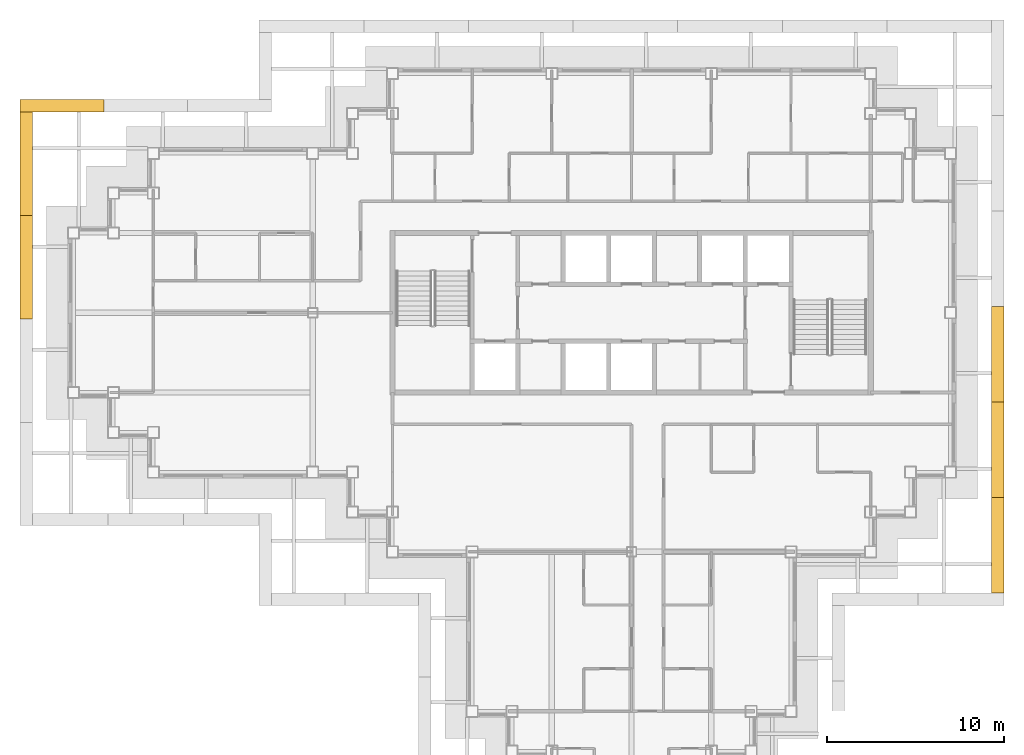
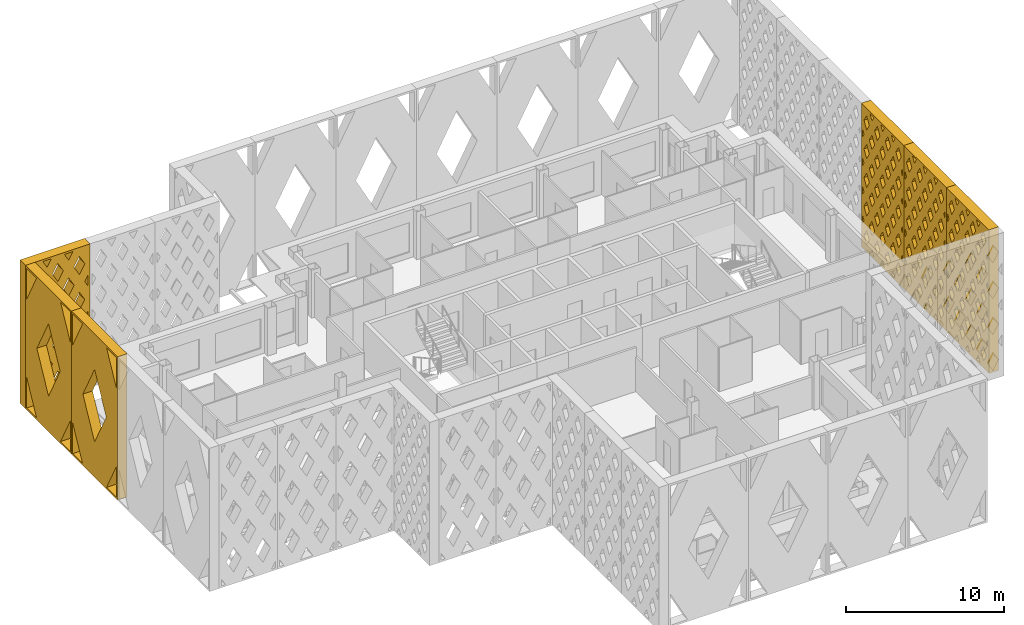
# One storey, part 15 of 17: 6 shading devices.
"""IFC4 building model written with IfcOpenShell, lengths in metres."""

from ifc_helpers import new_model, si_unit, direction, frame, origin, place, context, subcontext, project, spatial, polyline, outline, extrude, material, type_object, element, save


model = new_model("IFC4")

# Units and contexts
model_context = context("Model", 3, precision=1e-05, world=origin(), true_north=direction((0.0, 1.0)))
body_context = subcontext(model_context, "Body", "Model", "MODEL_VIEW")
ifc_project = project(units=[si_unit("LENGTHUNIT", "METRE"), si_unit("AREAUNIT", "SQUARE_METRE"), si_unit("VOLUMEUNIT", "CUBIC_METRE"), si_unit("PLANEANGLEUNIT", "RADIAN"), si_unit("MASSUNIT", "GRAM", prefix="KILO")], contexts=[model_context])

# Site, building, storey
site_placement = place(None, origin())
site = spatial("IfcSite", under=ifc_project, at=site_placement, CompositionType="ELEMENT")
building_placement = place(site_placement, origin())
building = spatial("IfcBuilding", under=site, at=building_placement, Name="Caravel Reach Hotel and Residences", CompositionType="ELEMENT")
storey_placement = place(building_placement, frame((0.0, 0.0, 222.0)))
storey = spatial("IfcBuildingStorey", under=building, at=storey_placement, Name="L56", CompositionType="ELEMENT", Elevation=222.0)

# Shading devices
ifc_material_1 = material(Name="Black powder-coated aluminium", Category="aluminium")
shading_device_type_1 = type_object("IfcShadingDeviceType", Name="Diamond lattice screen panel 4733 x 11100", PredefinedType="USERDEFINED", material=ifc_material_1)
shading_device_1_placement = place(storey_placement, frame((1.708251953125, 38.324951171875, 0.0), z_axis=(0.0, 1.0, 0.0), x_axis=(-1.0, 0.0, 0.0)))
element("IfcShadingDevice", 1, at=shading_device_1_placement, inside=storey, type_object=shading_device_type_1, Name="Lattice screen L56-L58 6.3", ObjectType="SCREEN", PredefinedType="USERDEFINED", context=body_context, shape_type="SweptSolid", body=[
    extrude(outline(polyline([(0.0, 0.0), (4.7333984375, 0.0), (4.7333984375, 11.10009765625), (0.0, 11.10009765625), (0.0, 0.0)]), holes=[polyline([(0.401123046875, 2.77490234375), (0.14990234375, 3.216796875), (0.14990234375, 2.333251953125), (0.401123046875, 2.77490234375)]), polyline([(0.401123046875, 5.550048828125), (0.14990234375, 5.99169921875), (0.14990234375, 5.108154296875), (0.401123046875, 5.550048828125)]), polyline([(0.401123046875, 8.324951171875), (0.14990234375, 8.766845703125), (0.14990234375, 7.88330078125), (0.401123046875, 8.324951171875)]), polyline([(0.788818359375, 2.093017578125), (0.3876953125, 1.387451171875), (0.788818359375, 0.681884765625), (1.190185546875, 1.387451171875), (0.788818359375, 2.093017578125)]), polyline([(0.788818359375, 4.8681640625), (0.3876953125, 4.16259765625), (0.788818359375, 3.456787109375), (1.190185546875, 4.16259765625), (0.788818359375, 4.8681640625)]), polyline([(0.788818359375, 7.64306640625), (0.3876953125, 6.9375), (0.788818359375, 6.23193359375), (1.190185546875, 6.9375), (0.788818359375, 7.64306640625)]), polyline([(0.788818359375, 10.418212890625), (0.3876953125, 9.71240234375), (0.788818359375, 9.0068359375), (1.190185546875, 9.71240234375), (0.788818359375, 10.418212890625)]), polyline([(1.577880859375, 0.70556640625), (1.261962890625, 0.14990234375), (1.893798828125, 0.14990234375), (1.577880859375, 0.70556640625)]), polyline([(1.577880859375, 3.480712890625), (1.176513671875, 2.77490234375), (1.577880859375, 2.0693359375), (1.97900390625, 2.77490234375), (1.577880859375, 3.480712890625)]), polyline([(1.577880859375, 6.255615234375), (1.176513671875, 5.550048828125), (1.577880859375, 4.844482421875), (1.97900390625, 5.550048828125), (1.577880859375, 6.255615234375)]), polyline([(1.577880859375, 9.030517578125), (1.176513671875, 8.324951171875), (1.577880859375, 7.619384765625), (1.97900390625, 8.324951171875), (1.577880859375, 9.030517578125)]), polyline([(1.577880859375, 10.394287109375), (1.893798828125, 10.949951171875), (1.261962890625, 10.949951171875), (1.577880859375, 10.394287109375)]), polyline([(2.36669921875, 2.093017578125), (1.965576171875, 1.387451171875), (2.36669921875, 0.681884765625), (2.767822265625, 1.387451171875), (2.36669921875, 2.093017578125)]), polyline([(2.36669921875, 4.8681640625), (1.965576171875, 4.16259765625), (2.36669921875, 3.456787109375), (2.767822265625, 4.16259765625), (2.36669921875, 4.8681640625)]), polyline([(2.36669921875, 7.64306640625), (1.965576171875, 6.9375), (2.36669921875, 6.23193359375), (2.767822265625, 6.9375), (2.36669921875, 7.64306640625)]), polyline([(2.36669921875, 10.418212890625), (1.965576171875, 9.71240234375), (2.36669921875, 9.0068359375), (2.767822265625, 9.71240234375), (2.36669921875, 10.418212890625)]), polyline([(3.155517578125, 0.70556640625), (2.839599609375, 0.14990234375), (3.471435546875, 0.14990234375), (3.155517578125, 0.70556640625)]), polyline([(3.155517578125, 3.480712890625), (2.75439453125, 2.77490234375), (3.155517578125, 2.0693359375), (3.556640625, 2.77490234375), (3.155517578125, 3.480712890625)]), polyline([(3.155517578125, 6.255615234375), (2.75439453125, 5.550048828125), (3.155517578125, 4.844482421875), (3.556640625, 5.550048828125), (3.155517578125, 6.255615234375)]), polyline([(3.155517578125, 9.030517578125), (2.75439453125, 8.324951171875), (3.155517578125, 7.619384765625), (3.556640625, 8.324951171875), (3.155517578125, 9.030517578125)]), polyline([(3.155517578125, 10.394287109375), (3.471435546875, 10.949951171875), (2.839599609375, 10.949951171875), (3.155517578125, 10.394287109375)]), polyline([(3.9443359375, 2.093017578125), (3.543212890625, 1.387451171875), (3.9443359375, 0.681884765625), (4.345703125, 1.387451171875), (3.9443359375, 2.093017578125)]), polyline([(3.9443359375, 4.8681640625), (3.543212890625, 4.16259765625), (3.9443359375, 3.456787109375), (4.345703125, 4.16259765625), (3.9443359375, 4.8681640625)]), polyline([(3.9443359375, 7.64306640625), (3.543212890625, 6.9375), (3.9443359375, 6.23193359375), (4.345703125, 6.9375), (3.9443359375, 7.64306640625)]), polyline([(3.9443359375, 10.418212890625), (3.543212890625, 9.71240234375), (3.9443359375, 9.0068359375), (4.345703125, 9.71240234375), (3.9443359375, 10.418212890625)]), polyline([(4.33203125, 2.77490234375), (4.583251953125, 2.333251953125), (4.583251953125, 3.216796875), (4.33203125, 2.77490234375)]), polyline([(4.33203125, 5.550048828125), (4.583251953125, 5.108154296875), (4.583251953125, 5.99169921875), (4.33203125, 5.550048828125)]), polyline([(4.33203125, 8.324951171875), (4.583251953125, 7.88330078125), (4.583251953125, 8.766845703125), (4.33203125, 8.324951171875)])]), origin(), (0.0, 0.0, 1.0), 0.699951171875),
])
ifc_material_2 = material(Name="Black powder-coated aluminium", Category="aluminium")
shading_device_type_2 = type_object("IfcShadingDeviceType", Name="Diamond lattice screen panel 5392 x 11100", PredefinedType="USERDEFINED", material=ifc_material_2)
shading_device_2_placement = place(storey_placement, frame((51.824951171875, 11.175048828125, 0.0), z_axis=(1.0, 0.0, 0.0), x_axis=(0.0, 1.0, 0.0)))
element("IfcShadingDevice", 2, at=shading_device_2_placement, inside=storey, type_object=shading_device_type_2, Name="Lattice screen L56-L58 3.1", ObjectType="SCREEN", PredefinedType="USERDEFINED", context=body_context, shape_type="SweptSolid", body=[
    extrude(outline(polyline([(0.0, 0.0), (5.3916015625, 0.0), (5.3916015625, 11.10009765625), (0.0, 11.10009765625), (0.0, 0.0)]), holes=[polyline([(0.338623046875, 2.219970703125), (0.14990234375, 2.53076171875), (0.14990234375, 1.9091796875), (0.338623046875, 2.219970703125)]), polyline([(0.338623046875, 4.43994140625), (0.14990234375, 4.750732421875), (0.14990234375, 4.129150390625), (0.338623046875, 4.43994140625)]), polyline([(0.338623046875, 6.659912109375), (0.14990234375, 6.970703125), (0.14990234375, 6.34912109375), (0.338623046875, 6.659912109375)]), polyline([(0.338623046875, 8.8798828125), (0.14990234375, 9.190673828125), (0.14990234375, 8.5693359375), (0.338623046875, 8.8798828125)]), polyline([(0.674072265625, 1.667724609375), (0.335205078125, 1.110107421875), (0.674072265625, 0.55224609375), (1.0126953125, 1.110107421875), (0.674072265625, 1.667724609375)]), polyline([(0.674072265625, 3.887939453125), (0.335205078125, 3.330078125), (0.674072265625, 2.772216796875), (1.0126953125, 3.330078125), (0.674072265625, 3.887939453125)]), polyline([(0.674072265625, 6.10791015625), (0.335205078125, 5.550048828125), (0.674072265625, 4.9921875), (1.0126953125, 5.550048828125), (0.674072265625, 6.10791015625)]), polyline([(0.674072265625, 8.327880859375), (0.335205078125, 7.77001953125), (0.674072265625, 7.212158203125), (1.0126953125, 7.77001953125), (0.674072265625, 8.327880859375)]), polyline([(0.674072265625, 10.5478515625), (0.335205078125, 9.989990234375), (0.674072265625, 9.43212890625), (1.0126953125, 9.989990234375), (0.674072265625, 10.5478515625)]), polyline([(1.347900390625, 0.557861328125), (1.100341796875, 0.14990234375), (1.595458984375, 0.14990234375), (1.347900390625, 0.557861328125)]), polyline([(1.347900390625, 2.77783203125), (1.00927734375, 2.219970703125), (1.347900390625, 1.662109375), (1.6865234375, 2.219970703125), (1.347900390625, 2.77783203125)]), polyline([(1.347900390625, 4.997802734375), (1.00927734375, 4.43994140625), (1.347900390625, 3.882080078125), (1.6865234375, 4.43994140625), (1.347900390625, 4.997802734375)]), polyline([(1.347900390625, 7.2177734375), (1.00927734375, 6.659912109375), (1.347900390625, 6.102294921875), (1.6865234375, 6.659912109375), (1.347900390625, 7.2177734375)]), polyline([(1.347900390625, 9.437744140625), (1.00927734375, 8.8798828125), (1.347900390625, 8.322265625), (1.6865234375, 8.8798828125), (1.347900390625, 9.437744140625)]), polyline([(1.347900390625, 10.542236328125), (1.595458984375, 10.949951171875), (1.100341796875, 10.949951171875), (1.347900390625, 10.542236328125)]), polyline([(2.02197265625, 1.667724609375), (1.68310546875, 1.110107421875), (2.02197265625, 0.55224609375), (2.360595703125, 1.110107421875), (2.02197265625, 1.667724609375)]), polyline([(2.02197265625, 3.887939453125), (1.68310546875, 3.330078125), (2.02197265625, 2.772216796875), (2.360595703125, 3.330078125), (2.02197265625, 3.887939453125)]), polyline([(2.02197265625, 6.10791015625), (1.68310546875, 5.550048828125), (2.02197265625, 4.9921875), (2.360595703125, 5.550048828125), (2.02197265625, 6.10791015625)]), polyline([(2.02197265625, 8.327880859375), (1.68310546875, 7.77001953125), (2.02197265625, 7.212158203125), (2.360595703125, 7.77001953125), (2.02197265625, 8.327880859375)]), polyline([(2.02197265625, 10.5478515625), (1.68310546875, 9.989990234375), (2.02197265625, 9.43212890625), (2.360595703125, 9.989990234375), (2.02197265625, 10.5478515625)]), polyline([(2.69580078125, 0.557861328125), (2.4482421875, 0.14990234375), (2.943359375, 0.14990234375), (2.69580078125, 0.557861328125)]), polyline([(2.69580078125, 2.77783203125), (2.357177734375, 2.219970703125), (2.69580078125, 1.662109375), (3.034423828125, 2.219970703125), (2.69580078125, 2.77783203125)]), polyline([(2.69580078125, 4.997802734375), (2.357177734375, 4.43994140625), (2.69580078125, 3.882080078125), (3.034423828125, 4.43994140625), (2.69580078125, 4.997802734375)]), polyline([(2.69580078125, 7.2177734375), (2.357177734375, 6.659912109375), (2.69580078125, 6.102294921875), (3.034423828125, 6.659912109375), (2.69580078125, 7.2177734375)]), polyline([(2.69580078125, 9.437744140625), (2.357177734375, 8.8798828125), (2.69580078125, 8.322265625), (3.034423828125, 8.8798828125), (2.69580078125, 9.437744140625)]), polyline([(2.69580078125, 10.542236328125), (2.943359375, 10.949951171875), (2.4482421875, 10.949951171875), (2.69580078125, 10.542236328125)]), polyline([(3.369873046875, 1.667724609375), (3.031005859375, 1.110107421875), (3.369873046875, 0.55224609375), (3.70849609375, 1.110107421875), (3.369873046875, 1.667724609375)]), polyline([(3.369873046875, 3.887939453125), (3.031005859375, 3.330078125), (3.369873046875, 2.772216796875), (3.70849609375, 3.330078125), (3.369873046875, 3.887939453125)]), polyline([(3.369873046875, 6.10791015625), (3.031005859375, 5.550048828125), (3.369873046875, 4.9921875), (3.70849609375, 5.550048828125), (3.369873046875, 6.10791015625)]), polyline([(3.369873046875, 8.327880859375), (3.031005859375, 7.77001953125), (3.369873046875, 7.212158203125), (3.70849609375, 7.77001953125), (3.369873046875, 8.327880859375)]), polyline([(3.369873046875, 10.5478515625), (3.031005859375, 9.989990234375), (3.369873046875, 9.43212890625), (3.70849609375, 9.989990234375), (3.369873046875, 10.5478515625)]), polyline([(4.043701171875, 0.557861328125), (3.796142578125, 0.14990234375), (4.291259765625, 0.14990234375), (4.043701171875, 0.557861328125)]), polyline([(4.043701171875, 2.77783203125), (3.705078125, 2.219970703125), (4.043701171875, 1.662109375), (4.38232421875, 2.219970703125), (4.043701171875, 2.77783203125)]), polyline([(4.043701171875, 4.997802734375), (3.705078125, 4.43994140625), (4.043701171875, 3.882080078125), (4.38232421875, 4.43994140625), (4.043701171875, 4.997802734375)]), polyline([(4.043701171875, 7.2177734375), (3.705078125, 6.659912109375), (4.043701171875, 6.102294921875), (4.38232421875, 6.659912109375), (4.043701171875, 7.2177734375)]), polyline([(4.043701171875, 9.437744140625), (3.705078125, 8.8798828125), (4.043701171875, 8.322265625), (4.38232421875, 8.8798828125), (4.043701171875, 9.437744140625)]), polyline([(4.043701171875, 10.542236328125), (4.291259765625, 10.949951171875), (3.796142578125, 10.949951171875), (4.043701171875, 10.542236328125)]), polyline([(4.7177734375, 1.667724609375), (4.37890625, 1.110107421875), (4.7177734375, 0.55224609375), (5.056396484375, 1.110107421875), (4.7177734375, 1.667724609375)]), polyline([(4.7177734375, 3.887939453125), (4.37890625, 3.330078125), (4.7177734375, 2.772216796875), (5.056396484375, 3.330078125), (4.7177734375, 3.887939453125)]), polyline([(4.7177734375, 6.10791015625), (4.37890625, 5.550048828125), (4.7177734375, 4.9921875), (5.056396484375, 5.550048828125), (4.7177734375, 6.10791015625)]), polyline([(4.7177734375, 8.327880859375), (4.37890625, 7.77001953125), (4.7177734375, 7.212158203125), (5.056396484375, 7.77001953125), (4.7177734375, 8.327880859375)]), polyline([(4.7177734375, 10.5478515625), (4.37890625, 9.989990234375), (4.7177734375, 9.43212890625), (5.056396484375, 9.989990234375), (4.7177734375, 10.5478515625)]), polyline([(5.052978515625, 2.219970703125), (5.24169921875, 1.9091796875), (5.24169921875, 2.53076171875), (5.052978515625, 2.219970703125)]), polyline([(5.052978515625, 4.43994140625), (5.24169921875, 4.129150390625), (5.24169921875, 4.750732421875), (5.052978515625, 4.43994140625)]), polyline([(5.052978515625, 6.659912109375), (5.24169921875, 6.34912109375), (5.24169921875, 6.970703125), (5.052978515625, 6.659912109375)]), polyline([(5.052978515625, 8.8798828125), (5.24169921875, 8.5693359375), (5.24169921875, 9.190673828125), (5.052978515625, 8.8798828125)])]), origin(), (0.0, 0.0, 1.0), 0.699951171875),
])
shading_device_3_placement = place(storey_placement, frame((51.824951171875, 16.566650390625, 0.0), z_axis=(1.0, 0.0, 0.0), x_axis=(0.0, 1.0, 0.0)))
element("IfcShadingDevice", 3, at=shading_device_3_placement, inside=storey, type_object=shading_device_type_2, Name="Lattice screen L56-L58 3.2", ObjectType="SCREEN", PredefinedType="USERDEFINED", context=body_context, shape_type="SweptSolid", body=[
    extrude(outline(polyline([(0.0, 0.0), (5.3916015625, 0.0), (5.3916015625, 11.10009765625), (0.0, 11.10009765625), (0.0, 0.0)]), holes=[polyline([(0.338623046875, 2.219970703125), (0.14990234375, 2.53076171875), (0.14990234375, 1.9091796875), (0.338623046875, 2.219970703125)]), polyline([(0.338623046875, 4.43994140625), (0.14990234375, 4.750732421875), (0.14990234375, 4.129150390625), (0.338623046875, 4.43994140625)]), polyline([(0.338623046875, 6.659912109375), (0.14990234375, 6.970703125), (0.14990234375, 6.34912109375), (0.338623046875, 6.659912109375)]), polyline([(0.338623046875, 8.8798828125), (0.14990234375, 9.190673828125), (0.14990234375, 8.5693359375), (0.338623046875, 8.8798828125)]), polyline([(0.674072265625, 1.667724609375), (0.335205078125, 1.110107421875), (0.674072265625, 0.55224609375), (1.0126953125, 1.110107421875), (0.674072265625, 1.667724609375)]), polyline([(0.674072265625, 3.887939453125), (0.335205078125, 3.330078125), (0.674072265625, 2.772216796875), (1.0126953125, 3.330078125), (0.674072265625, 3.887939453125)]), polyline([(0.674072265625, 6.10791015625), (0.335205078125, 5.550048828125), (0.674072265625, 4.9921875), (1.0126953125, 5.550048828125), (0.674072265625, 6.10791015625)]), polyline([(0.674072265625, 8.327880859375), (0.335205078125, 7.77001953125), (0.674072265625, 7.212158203125), (1.0126953125, 7.77001953125), (0.674072265625, 8.327880859375)]), polyline([(0.674072265625, 10.5478515625), (0.335205078125, 9.989990234375), (0.674072265625, 9.43212890625), (1.0126953125, 9.989990234375), (0.674072265625, 10.5478515625)]), polyline([(1.347900390625, 0.557861328125), (1.100341796875, 0.14990234375), (1.595458984375, 0.14990234375), (1.347900390625, 0.557861328125)]), polyline([(1.347900390625, 2.77783203125), (1.00927734375, 2.219970703125), (1.347900390625, 1.662109375), (1.6865234375, 2.219970703125), (1.347900390625, 2.77783203125)]), polyline([(1.347900390625, 4.997802734375), (1.00927734375, 4.43994140625), (1.347900390625, 3.882080078125), (1.6865234375, 4.43994140625), (1.347900390625, 4.997802734375)]), polyline([(1.347900390625, 7.2177734375), (1.00927734375, 6.659912109375), (1.347900390625, 6.102294921875), (1.6865234375, 6.659912109375), (1.347900390625, 7.2177734375)]), polyline([(1.347900390625, 9.437744140625), (1.00927734375, 8.8798828125), (1.347900390625, 8.322265625), (1.6865234375, 8.8798828125), (1.347900390625, 9.437744140625)]), polyline([(1.347900390625, 10.542236328125), (1.595458984375, 10.949951171875), (1.100341796875, 10.949951171875), (1.347900390625, 10.542236328125)]), polyline([(2.02197265625, 1.667724609375), (1.68310546875, 1.110107421875), (2.02197265625, 0.55224609375), (2.360595703125, 1.110107421875), (2.02197265625, 1.667724609375)]), polyline([(2.02197265625, 3.887939453125), (1.68310546875, 3.330078125), (2.02197265625, 2.772216796875), (2.360595703125, 3.330078125), (2.02197265625, 3.887939453125)]), polyline([(2.02197265625, 6.10791015625), (1.68310546875, 5.550048828125), (2.02197265625, 4.9921875), (2.360595703125, 5.550048828125), (2.02197265625, 6.10791015625)]), polyline([(2.02197265625, 8.327880859375), (1.68310546875, 7.77001953125), (2.02197265625, 7.212158203125), (2.360595703125, 7.77001953125), (2.02197265625, 8.327880859375)]), polyline([(2.02197265625, 10.5478515625), (1.68310546875, 9.989990234375), (2.02197265625, 9.43212890625), (2.360595703125, 9.989990234375), (2.02197265625, 10.5478515625)]), polyline([(2.69580078125, 0.557861328125), (2.4482421875, 0.14990234375), (2.943359375, 0.14990234375), (2.69580078125, 0.557861328125)]), polyline([(2.69580078125, 2.77783203125), (2.357177734375, 2.219970703125), (2.69580078125, 1.662109375), (3.034423828125, 2.219970703125), (2.69580078125, 2.77783203125)]), polyline([(2.69580078125, 4.997802734375), (2.357177734375, 4.43994140625), (2.69580078125, 3.882080078125), (3.034423828125, 4.43994140625), (2.69580078125, 4.997802734375)]), polyline([(2.69580078125, 7.2177734375), (2.357177734375, 6.659912109375), (2.69580078125, 6.102294921875), (3.034423828125, 6.659912109375), (2.69580078125, 7.2177734375)]), polyline([(2.69580078125, 9.437744140625), (2.357177734375, 8.8798828125), (2.69580078125, 8.322265625), (3.034423828125, 8.8798828125), (2.69580078125, 9.437744140625)]), polyline([(2.69580078125, 10.542236328125), (2.943359375, 10.949951171875), (2.4482421875, 10.949951171875), (2.69580078125, 10.542236328125)]), polyline([(3.369873046875, 1.667724609375), (3.031005859375, 1.110107421875), (3.369873046875, 0.55224609375), (3.70849609375, 1.110107421875), (3.369873046875, 1.667724609375)]), polyline([(3.369873046875, 3.887939453125), (3.031005859375, 3.330078125), (3.369873046875, 2.772216796875), (3.70849609375, 3.330078125), (3.369873046875, 3.887939453125)]), polyline([(3.369873046875, 6.10791015625), (3.031005859375, 5.550048828125), (3.369873046875, 4.9921875), (3.70849609375, 5.550048828125), (3.369873046875, 6.10791015625)]), polyline([(3.369873046875, 8.327880859375), (3.031005859375, 7.77001953125), (3.369873046875, 7.212158203125), (3.70849609375, 7.77001953125), (3.369873046875, 8.327880859375)]), polyline([(3.369873046875, 10.5478515625), (3.031005859375, 9.989990234375), (3.369873046875, 9.43212890625), (3.70849609375, 9.989990234375), (3.369873046875, 10.5478515625)]), polyline([(4.043701171875, 0.557861328125), (3.796142578125, 0.14990234375), (4.291259765625, 0.14990234375), (4.043701171875, 0.557861328125)]), polyline([(4.043701171875, 2.77783203125), (3.705078125, 2.219970703125), (4.043701171875, 1.662109375), (4.38232421875, 2.219970703125), (4.043701171875, 2.77783203125)]), polyline([(4.043701171875, 4.997802734375), (3.705078125, 4.43994140625), (4.043701171875, 3.882080078125), (4.38232421875, 4.43994140625), (4.043701171875, 4.997802734375)]), polyline([(4.043701171875, 7.2177734375), (3.705078125, 6.659912109375), (4.043701171875, 6.102294921875), (4.38232421875, 6.659912109375), (4.043701171875, 7.2177734375)]), polyline([(4.043701171875, 9.437744140625), (3.705078125, 8.8798828125), (4.043701171875, 8.322265625), (4.38232421875, 8.8798828125), (4.043701171875, 9.437744140625)]), polyline([(4.043701171875, 10.542236328125), (4.291259765625, 10.949951171875), (3.796142578125, 10.949951171875), (4.043701171875, 10.542236328125)]), polyline([(4.7177734375, 1.667724609375), (4.37890625, 1.110107421875), (4.7177734375, 0.55224609375), (5.056396484375, 1.110107421875), (4.7177734375, 1.667724609375)]), polyline([(4.7177734375, 3.887939453125), (4.37890625, 3.330078125), (4.7177734375, 2.772216796875), (5.056396484375, 3.330078125), (4.7177734375, 3.887939453125)]), polyline([(4.7177734375, 6.10791015625), (4.37890625, 5.550048828125), (4.7177734375, 4.9921875), (5.056396484375, 5.550048828125), (4.7177734375, 6.10791015625)]), polyline([(4.7177734375, 8.327880859375), (4.37890625, 7.77001953125), (4.7177734375, 7.212158203125), (5.056396484375, 7.77001953125), (4.7177734375, 8.327880859375)]), polyline([(4.7177734375, 10.5478515625), (4.37890625, 9.989990234375), (4.7177734375, 9.43212890625), (5.056396484375, 9.989990234375), (4.7177734375, 10.5478515625)]), polyline([(5.052978515625, 2.219970703125), (5.24169921875, 1.9091796875), (5.24169921875, 2.53076171875), (5.052978515625, 2.219970703125)]), polyline([(5.052978515625, 4.43994140625), (5.24169921875, 4.129150390625), (5.24169921875, 4.750732421875), (5.052978515625, 4.43994140625)]), polyline([(5.052978515625, 6.659912109375), (5.24169921875, 6.34912109375), (5.24169921875, 6.970703125), (5.052978515625, 6.659912109375)]), polyline([(5.052978515625, 8.8798828125), (5.24169921875, 8.5693359375), (5.24169921875, 9.190673828125), (5.052978515625, 8.8798828125)])]), origin(), (0.0, 0.0, 1.0), 0.699951171875),
])
shading_device_4_placement = place(storey_placement, frame((51.824951171875, 21.958251953125, 0.0), z_axis=(1.0, 0.0, 0.0), x_axis=(0.0, 1.0, 0.0)))
element("IfcShadingDevice", 4, at=shading_device_4_placement, inside=storey, type_object=shading_device_type_2, Name="Lattice screen L56-L58 3.3", ObjectType="SCREEN", PredefinedType="USERDEFINED", context=body_context, shape_type="SweptSolid", body=[
    extrude(outline(polyline([(0.0, 0.0), (5.3916015625, 0.0), (5.3916015625, 11.10009765625), (0.0, 11.10009765625), (0.0, 0.0)]), holes=[polyline([(0.338623046875, 2.219970703125), (0.14990234375, 2.53076171875), (0.14990234375, 1.9091796875), (0.338623046875, 2.219970703125)]), polyline([(0.338623046875, 4.43994140625), (0.14990234375, 4.750732421875), (0.14990234375, 4.129150390625), (0.338623046875, 4.43994140625)]), polyline([(0.338623046875, 6.659912109375), (0.14990234375, 6.970703125), (0.14990234375, 6.34912109375), (0.338623046875, 6.659912109375)]), polyline([(0.338623046875, 8.8798828125), (0.14990234375, 9.190673828125), (0.14990234375, 8.5693359375), (0.338623046875, 8.8798828125)]), polyline([(0.674072265625, 1.667724609375), (0.335205078125, 1.110107421875), (0.674072265625, 0.55224609375), (1.0126953125, 1.110107421875), (0.674072265625, 1.667724609375)]), polyline([(0.674072265625, 3.887939453125), (0.335205078125, 3.330078125), (0.674072265625, 2.772216796875), (1.0126953125, 3.330078125), (0.674072265625, 3.887939453125)]), polyline([(0.674072265625, 6.10791015625), (0.335205078125, 5.550048828125), (0.674072265625, 4.9921875), (1.0126953125, 5.550048828125), (0.674072265625, 6.10791015625)]), polyline([(0.674072265625, 8.327880859375), (0.335205078125, 7.77001953125), (0.674072265625, 7.212158203125), (1.0126953125, 7.77001953125), (0.674072265625, 8.327880859375)]), polyline([(0.674072265625, 10.5478515625), (0.335205078125, 9.989990234375), (0.674072265625, 9.43212890625), (1.0126953125, 9.989990234375), (0.674072265625, 10.5478515625)]), polyline([(1.347900390625, 0.557861328125), (1.100341796875, 0.14990234375), (1.595458984375, 0.14990234375), (1.347900390625, 0.557861328125)]), polyline([(1.347900390625, 2.77783203125), (1.00927734375, 2.219970703125), (1.347900390625, 1.662109375), (1.6865234375, 2.219970703125), (1.347900390625, 2.77783203125)]), polyline([(1.347900390625, 4.997802734375), (1.00927734375, 4.43994140625), (1.347900390625, 3.882080078125), (1.6865234375, 4.43994140625), (1.347900390625, 4.997802734375)]), polyline([(1.347900390625, 7.2177734375), (1.00927734375, 6.659912109375), (1.347900390625, 6.102294921875), (1.6865234375, 6.659912109375), (1.347900390625, 7.2177734375)]), polyline([(1.347900390625, 9.437744140625), (1.00927734375, 8.8798828125), (1.347900390625, 8.322265625), (1.6865234375, 8.8798828125), (1.347900390625, 9.437744140625)]), polyline([(1.347900390625, 10.542236328125), (1.595458984375, 10.949951171875), (1.100341796875, 10.949951171875), (1.347900390625, 10.542236328125)]), polyline([(2.02197265625, 1.667724609375), (1.68310546875, 1.110107421875), (2.02197265625, 0.55224609375), (2.360595703125, 1.110107421875), (2.02197265625, 1.667724609375)]), polyline([(2.02197265625, 3.887939453125), (1.68310546875, 3.330078125), (2.02197265625, 2.772216796875), (2.360595703125, 3.330078125), (2.02197265625, 3.887939453125)]), polyline([(2.02197265625, 6.10791015625), (1.68310546875, 5.550048828125), (2.02197265625, 4.9921875), (2.360595703125, 5.550048828125), (2.02197265625, 6.10791015625)]), polyline([(2.02197265625, 8.327880859375), (1.68310546875, 7.77001953125), (2.02197265625, 7.212158203125), (2.360595703125, 7.77001953125), (2.02197265625, 8.327880859375)]), polyline([(2.02197265625, 10.5478515625), (1.68310546875, 9.989990234375), (2.02197265625, 9.43212890625), (2.360595703125, 9.989990234375), (2.02197265625, 10.5478515625)]), polyline([(2.69580078125, 0.557861328125), (2.4482421875, 0.14990234375), (2.943359375, 0.14990234375), (2.69580078125, 0.557861328125)]), polyline([(2.69580078125, 2.77783203125), (2.357177734375, 2.219970703125), (2.69580078125, 1.662109375), (3.034423828125, 2.219970703125), (2.69580078125, 2.77783203125)]), polyline([(2.69580078125, 4.997802734375), (2.357177734375, 4.43994140625), (2.69580078125, 3.882080078125), (3.034423828125, 4.43994140625), (2.69580078125, 4.997802734375)]), polyline([(2.69580078125, 7.2177734375), (2.357177734375, 6.659912109375), (2.69580078125, 6.102294921875), (3.034423828125, 6.659912109375), (2.69580078125, 7.2177734375)]), polyline([(2.69580078125, 9.437744140625), (2.357177734375, 8.8798828125), (2.69580078125, 8.322265625), (3.034423828125, 8.8798828125), (2.69580078125, 9.437744140625)]), polyline([(2.69580078125, 10.542236328125), (2.943359375, 10.949951171875), (2.4482421875, 10.949951171875), (2.69580078125, 10.542236328125)]), polyline([(3.369873046875, 1.667724609375), (3.031005859375, 1.110107421875), (3.369873046875, 0.55224609375), (3.70849609375, 1.110107421875), (3.369873046875, 1.667724609375)]), polyline([(3.369873046875, 3.887939453125), (3.031005859375, 3.330078125), (3.369873046875, 2.772216796875), (3.70849609375, 3.330078125), (3.369873046875, 3.887939453125)]), polyline([(3.369873046875, 6.10791015625), (3.031005859375, 5.550048828125), (3.369873046875, 4.9921875), (3.70849609375, 5.550048828125), (3.369873046875, 6.10791015625)]), polyline([(3.369873046875, 8.327880859375), (3.031005859375, 7.77001953125), (3.369873046875, 7.212158203125), (3.70849609375, 7.77001953125), (3.369873046875, 8.327880859375)]), polyline([(3.369873046875, 10.5478515625), (3.031005859375, 9.989990234375), (3.369873046875, 9.43212890625), (3.70849609375, 9.989990234375), (3.369873046875, 10.5478515625)]), polyline([(4.043701171875, 0.557861328125), (3.796142578125, 0.14990234375), (4.291259765625, 0.14990234375), (4.043701171875, 0.557861328125)]), polyline([(4.043701171875, 2.77783203125), (3.705078125, 2.219970703125), (4.043701171875, 1.662109375), (4.38232421875, 2.219970703125), (4.043701171875, 2.77783203125)]), polyline([(4.043701171875, 4.997802734375), (3.705078125, 4.43994140625), (4.043701171875, 3.882080078125), (4.38232421875, 4.43994140625), (4.043701171875, 4.997802734375)]), polyline([(4.043701171875, 7.2177734375), (3.705078125, 6.659912109375), (4.043701171875, 6.102294921875), (4.38232421875, 6.659912109375), (4.043701171875, 7.2177734375)]), polyline([(4.043701171875, 9.437744140625), (3.705078125, 8.8798828125), (4.043701171875, 8.322265625), (4.38232421875, 8.8798828125), (4.043701171875, 9.437744140625)]), polyline([(4.043701171875, 10.542236328125), (4.291259765625, 10.949951171875), (3.796142578125, 10.949951171875), (4.043701171875, 10.542236328125)]), polyline([(4.7177734375, 1.667724609375), (4.37890625, 1.110107421875), (4.7177734375, 0.55224609375), (5.056396484375, 1.110107421875), (4.7177734375, 1.667724609375)]), polyline([(4.7177734375, 3.887939453125), (4.37890625, 3.330078125), (4.7177734375, 2.772216796875), (5.056396484375, 3.330078125), (4.7177734375, 3.887939453125)]), polyline([(4.7177734375, 6.10791015625), (4.37890625, 5.550048828125), (4.7177734375, 4.9921875), (5.056396484375, 5.550048828125), (4.7177734375, 6.10791015625)]), polyline([(4.7177734375, 8.327880859375), (4.37890625, 7.77001953125), (4.7177734375, 7.212158203125), (5.056396484375, 7.77001953125), (4.7177734375, 8.327880859375)]), polyline([(4.7177734375, 10.5478515625), (4.37890625, 9.989990234375), (4.7177734375, 9.43212890625), (5.056396484375, 9.989990234375), (4.7177734375, 10.5478515625)]), polyline([(5.052978515625, 2.219970703125), (5.24169921875, 1.9091796875), (5.24169921875, 2.53076171875), (5.052978515625, 2.219970703125)]), polyline([(5.052978515625, 4.43994140625), (5.24169921875, 4.129150390625), (5.24169921875, 4.750732421875), (5.052978515625, 4.43994140625)]), polyline([(5.052978515625, 6.659912109375), (5.24169921875, 6.34912109375), (5.24169921875, 6.970703125), (5.052978515625, 6.659912109375)]), polyline([(5.052978515625, 8.8798828125), (5.24169921875, 8.5693359375), (5.24169921875, 9.190673828125), (5.052978515625, 8.8798828125)])]), origin(), (0.0, 0.0, 1.0), 0.699951171875),
])
ifc_material_3 = material(Name="Black powder-coated aluminium", Category="aluminium")
shading_device_type_3 = type_object("IfcShadingDeviceType", Name="Diamond lattice screen panel 5838 x 11100", PredefinedType="USERDEFINED", material=ifc_material_3)
for number, where, z_axis, x_axis, name in (
    (5, (-2.324951171875, 38.324951171875, 0.0), (-1.0, 0.0, 0.0), (0.0, -1.0, 0.0), "Lattice screen L56-L58 7.1"),
    (6, (-2.324951171875, 32.487548828125, 0.0), (-1.0, 0.0, 0.0), (0.0, -1.0, 0.0), "Lattice screen L56-L58 7.2"),
):
    element("IfcShadingDevice", number, at=place(storey_placement, frame(where, z_axis=z_axis, x_axis=x_axis)), inside=storey, type_object=shading_device_type_3, Name=name, ObjectType="SCREEN", PredefinedType="USERDEFINED", context=body_context, shape_type="SweptSolid", body=[
        extrude(outline(polyline([(0.0, 0.0), (5.83740234375, 0.0), (5.83740234375, 11.10009765625), (0.0, 11.10009765625), (0.0, 0.0)]), holes=[polyline([(1.399658203125, 0.14990234375), (0.14990234375, 2.5263671875), (0.14990234375, 0.14990234375), (1.399658203125, 0.14990234375)]), polyline([(0.14990234375, 8.573486328125), (1.399658203125, 10.949951171875), (0.14990234375, 10.949951171875), (0.14990234375, 8.573486328125)]), polyline([(2.918701171875, 8.361572265625), (1.440185546875, 5.550048828125), (2.918701171875, 2.73828125), (4.3974609375, 5.550048828125), (2.918701171875, 8.361572265625)]), polyline([(5.6875, 2.5263671875), (4.437744140625, 0.14990234375), (5.6875, 0.14990234375), (5.6875, 2.5263671875)]), polyline([(4.437744140625, 10.949951171875), (5.6875, 8.573486328125), (5.6875, 10.949951171875), (4.437744140625, 10.949951171875)])]), origin(), (0.0, 0.0, 1.0), 0.699951171875),
    ])

save(model, "model.ifc")
